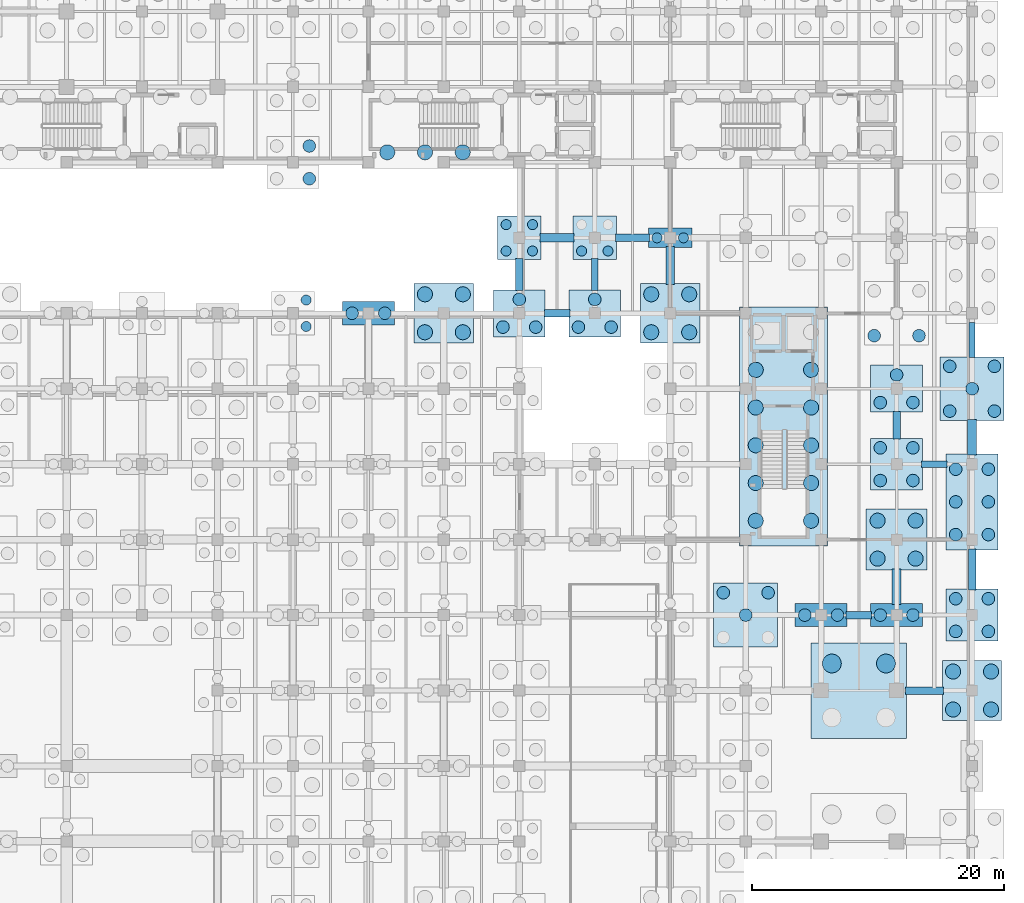
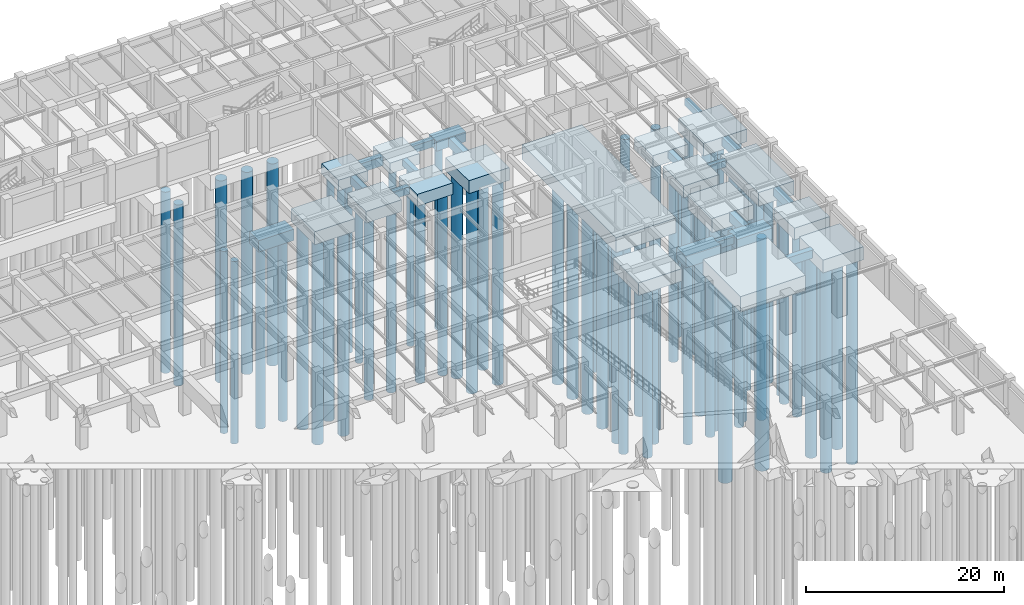
# One storey, part 21 of 54: 82 piles, 34 footings.
"""IFC4 building model written with IfcOpenShell, lengths in metres."""

from ifc_helpers import new_model, si_unit, direction, frame, origin, origin_2d, place, context, subcontext, project, spatial, rectangle, circle, extrude, material, material_profile, profile_set, type_object, element, save


model = new_model("IFC4")

# Units and contexts
model_context = context("Model", 3, precision=1e-05, world=origin(), true_north=direction((0.0, 1.0)))
body_context = subcontext(model_context, "Body", "Model", "MODEL_VIEW")
ifc_project = project(units=[si_unit("LENGTHUNIT", "METRE"), si_unit("AREAUNIT", "SQUARE_METRE"), si_unit("VOLUMEUNIT", "CUBIC_METRE"), si_unit("PLANEANGLEUNIT", "RADIAN"), si_unit("MASSUNIT", "GRAM", prefix="KILO"), si_unit("THERMODYNAMICTEMPERATUREUNIT", "KELVIN"), si_unit("POWERUNIT", "WATT")], contexts=[model_context])

# Site, building, storey
site_placement = place(None, origin())
site = spatial("IfcSite", under=ifc_project, at=site_placement, CompositionType="ELEMENT")
building_placement = place(site_placement, origin())
building = spatial("IfcBuilding", under=site, at=building_placement, Name="Phaisarnlok Congress Hotel", CompositionType="ELEMENT")
storey_placement = place(building_placement, frame((0.0, 0.0, -4.800048828125)))
storey = spatial("IfcBuildingStorey", under=building, at=storey_placement, Name="B01", CompositionType="ELEMENT", Elevation=-4.800048828125)

# Footings
ifc_material_1 = material(Name="Concrete C40/50", Category="concrete")
footing_type_1 = type_object("IfcFootingType", Name="CAP-2P-A", PredefinedType="PILE_CAP", material=ifc_material_1)
footing_1_placement = place(storey_placement, frame((156.0, 102.0, -1.69970703125), z_axis=(0.0, 0.0, 1.0), x_axis=(1.0, 0.0, 0.0)))
element("IfcFooting", 1, at=footing_1_placement, inside=storey, type_object=footing_type_1, Name="Pile cap PC-01 at (156,102)", PredefinedType="PILE_CAP", context=body_context, shape_type="SweptSolid", body=[
    extrude(rectangle(XDim=3.43994140625, YDim=1.5400390625, at=origin_2d()), origin(), (0.0, 0.0, 1.0), 1.199951171875),
])
footing_type_2 = type_object("IfcFootingType", Name="CAP-2P-C", PredefinedType="PILE_CAP", material=ifc_material_1)
for number, where, z_axis, x_axis, name in (
    (2, (132.0, 96.0, -1.89990234375), (0.0, 0.0, 1.0), (1.0, 0.0, 0.0), "Pile cap PC-03 at (132,96)"),
    (3, (168.0, 72.0, -1.89990234375), (0.0, 0.0, 1.0), (1.0, 0.0, 0.0), "Pile cap PC-03 at (168,72)"),
    (4, (174.0, 72.0, -1.89990234375), (0.0, 0.0, 1.0), (1.0, 0.0, 0.0), "Pile cap PC-03 at (174,72)"),
):
    element("IfcFooting", number, at=place(storey_placement, frame(where, z_axis=z_axis, x_axis=x_axis)), inside=storey, type_object=footing_type_2, Name=name, PredefinedType="PILE_CAP", context=body_context, shape_type="SweptSolid", body=[
        extrude(rectangle(XDim=4.1201171875, YDim=1.840087890625, at=origin_2d()), origin(), (0.0, 0.0, 1.0), 1.39990234375),
    ])
footing_type_3 = type_object("IfcFootingType", Name="CAP-3P-B", PredefinedType="PILE_CAP", material=ifc_material_1)
for number, where, z_axis, x_axis, name in (
    (5, (144.0, 96.0, -1.94970703125), (0.0, 0.0, 1.0), (1.0, 0.0, 0.0), "Pile cap PC-05 at (144,96)"),
    (6, (150.0, 96.0, -1.94970703125), (0.0, 0.0, 1.0), (1.0, 0.0, 0.0), "Pile cap PC-05 at (150,96)"),
    (7, (174.0, 90.0, -1.94970703125), (0.0, 0.0, 1.0), (1.0, 0.0, 0.0), "Pile cap PC-05 at (174,90)"),
):
    element("IfcFooting", number, at=place(storey_placement, frame(where, z_axis=z_axis, x_axis=x_axis)), inside=storey, type_object=footing_type_3, Name=name, PredefinedType="PILE_CAP", context=body_context, shape_type="SweptSolid", body=[
        extrude(rectangle(XDim=4.1201171875, YDim=3.739990234375, at=origin_2d()), origin(), (0.0, 0.0, 1.0), 1.449951171875),
    ])
footing_type_4 = type_object("IfcFootingType", Name="CAP-4P-A", PredefinedType="PILE_CAP", material=ifc_material_1)
for number, where, z_axis, x_axis, name in (
    (8, (144.0, 102.0, -1.7998046875), (0.0, 0.0, 1.0), (1.0, 0.0, 0.0), "Pile cap PC-06 at (144,102)"),
    (9, (150.0, 102.0, -1.7998046875), (0.0, 0.0, 1.0), (1.0, 0.0, 0.0), "Pile cap PC-06 at (150,102)"),
):
    element("IfcFooting", number, at=place(storey_placement, frame(where, z_axis=z_axis, x_axis=x_axis)), inside=storey, type_object=footing_type_4, Name=name, PredefinedType="PILE_CAP", context=body_context, shape_type="SweptSolid", body=[
        extrude(rectangle(XDim=3.43994140625, YDim=3.43994140625, at=origin_2d()), origin(), (0.0, 0.0, 1.0), 1.300048828125),
    ])
footing_type_5 = type_object("IfcFootingType", Name="CAP-4P-B", PredefinedType="PILE_CAP", material=ifc_material_1)
for number, where, z_axis, x_axis, name in (
    (10, (174.0, 84.0, -1.94970703125), (0.0, 0.0, 1.0), (1.0, 0.0, 0.0), "Pile cap PC-07 at (174,84)"),
    (11, (180.0, 72.0, -1.94970703125), (0.0, 0.0, 1.0), (1.0, 0.0, 0.0), "Pile cap PC-07 at (180,72)"),
):
    element("IfcFooting", number, at=place(storey_placement, frame(where, z_axis=z_axis, x_axis=x_axis)), inside=storey, type_object=footing_type_5, Name=name, PredefinedType="PILE_CAP", context=body_context, shape_type="SweptSolid", body=[
        extrude(rectangle(XDim=4.1201171875, YDim=4.1201171875, at=origin_2d()), origin(), (0.0, 0.0, 1.0), 1.449951171875),
    ])
footing_type_6 = type_object("IfcFootingType", Name="CAP-4P-C", PredefinedType="PILE_CAP", material=ifc_material_1)
for number, where, z_axis, x_axis, name in (
    (12, (138.0, 96.0, -2.10009765625), (0.0, 0.0, 1.0), (1.0, 0.0, 0.0), "Pile cap PC-08 at (138,96)"),
    (13, (156.0, 96.0, -2.10009765625), (0.0, 0.0, 1.0), (1.0, 0.0, 0.0), "Pile cap PC-08 at (156,96)"),
    (14, (180.0, 66.0, -2.10009765625), (0.0, 0.0, 1.0), (1.0, 0.0, 0.0), "Pile cap PC-08 at (180,66)"),
):
    element("IfcFooting", number, at=place(storey_placement, frame(where, z_axis=z_axis, x_axis=x_axis)), inside=storey, type_object=footing_type_6, Name=name, PredefinedType="PILE_CAP", context=body_context, shape_type="SweptSolid", body=[
        extrude(rectangle(XDim=4.719970703125, YDim=4.760009765625, at=origin_2d()), origin(), (0.0, 0.0, 1.0), 1.60009765625),
    ])
footing_type_7 = type_object("IfcFootingType", Name="CAP-4P-D", PredefinedType="PILE_CAP", material=ifc_material_1)
footing_2_placement = place(storey_placement, frame((174.0, 78.0, -2.25), z_axis=(0.0, 0.0, 1.0), x_axis=(1.0, 0.0, 0.0)))
element("IfcFooting", 15, at=footing_2_placement, inside=storey, type_object=footing_type_7, Name="Pile cap PC-09 at (174,78)", PredefinedType="PILE_CAP", context=body_context, shape_type="SweptSolid", body=[
    extrude(rectangle(XDim=4.840087890625, YDim=4.840087890625, at=origin_2d()), origin(), (0.0, 0.0, 1.0), 1.75),
])
footing_type_8 = type_object("IfcFootingType", Name="CAP-4P-E", PredefinedType="PILE_CAP", material=ifc_material_1)
footing_3_placement = place(storey_placement, frame((171.0, 66.0, -2.39990234375), z_axis=(0.0, 0.0, 1.0), x_axis=(1.0, 0.0, 0.0)))
element("IfcFooting", 16, at=footing_3_placement, inside=storey, type_object=footing_type_8, Name="Combined pile cap PC-10 at (171,66)", PredefinedType="PILE_CAP", context=body_context, shape_type="SweptSolid", body=[
    extrude(rectangle(XDim=7.60009765625, YDim=7.60009765625, at=origin_2d()), origin(), (0.0, 0.0, 1.0), 1.89990234375),
])
footing_type_9 = type_object("IfcFootingType", Name="CAP-5P-A", PredefinedType="PILE_CAP", material=ifc_material_1)
for number, where, z_axis, x_axis, name in (
    (17, (162.0, 72.0, -2.0498046875), (0.0, 0.0, 1.0), (1.0, 0.0, 0.0), "Pile cap PC-13 at (162,72)"),
    (18, (180.0, 90.0, -2.0498046875), (0.0, 0.0, 1.0), (1.0, 0.0, 0.0), "Pile cap PC-13 at (180,90)"),
):
    element("IfcFooting", number, at=place(storey_placement, frame(where, z_axis=z_axis, x_axis=x_axis)), inside=storey, type_object=footing_type_9, Name=name, PredefinedType="PILE_CAP", context=body_context, shape_type="SweptSolid", body=[
        extrude(rectangle(XDim=5.080078125, YDim=5.080078125, at=origin_2d()), origin(), (0.0, 0.0, 1.0), 1.550048828125),
    ])
footing_type_10 = type_object("IfcFootingType", Name="CAP-6P-B", PredefinedType="PILE_CAP", material=ifc_material_1)
footing_4_placement = place(storey_placement, frame((180.0, 81.0, -2.19970703125), z_axis=(0.0, 0.0, 1.0), x_axis=(1.0, 0.0, 0.0)))
element("IfcFooting", 19, at=footing_4_placement, inside=storey, type_object=footing_type_10, Name="Combined pile cap PC-12 at (180,81)", PredefinedType="PILE_CAP", context=body_context, shape_type="SweptSolid", body=[
    extrude(rectangle(XDim=4.159912109375, YDim=7.639892578125, at=origin_2d()), origin(), (0.0, 0.0, 1.0), 1.699951171875),
])
footing_type_11 = type_object("IfcFootingType", Name="CAP-CORE-V", PredefinedType="PILE_CAP", material=ifc_material_1)
footing_5_placement = place(storey_placement, frame((165.0, 87.0, -2.35009765625), z_axis=(0.0, 0.0, 1.0), x_axis=(1.0, 0.0, 0.0)))
element("IfcFooting", 20, at=footing_5_placement, inside=storey, type_object=footing_type_11, Name="Core pile cap PC-16 (CORE-3)", PredefinedType="PILE_CAP", context=body_context, shape_type="SweptSolid", body=[
    extrude(rectangle(XDim=7.0, YDim=19.0, at=origin_2d()), origin(), (0.0, 0.0, 1.0), 1.85009765625),
])
ifc_material_profile_1 = material_profile(ifc_material_1, rectangle(XDim=0.5, YDim=0.800048828125, at=origin_2d()), Name="FB-500x800")
ifc_profile_set_1 = profile_set([ifc_material_profile_1], Name="Concrete C40/50")
footing_type_12 = type_object("IfcFootingType", Name="FB-500x800", PredefinedType="FOOTING_BEAM", material=ifc_profile_set_1)
footing_6_placement = place(storey_placement, frame((150.0, 97.794921875, -0.89990234375), z_axis=(0.0, 1.0, 0.0), x_axis=(-1.0, 0.0, 0.0)))
element("IfcFooting", 21, at=footing_6_placement, inside=storey, type_object=footing_type_12, Name="Ground tie beam FB-01", PredefinedType="FOOTING_BEAM", context=body_context, shape_type="SweptSolid", body=[
    extrude(rectangle(XDim=0.5, YDim=0.800048828125, at=origin_2d()), origin(), (0.0, 0.0, 1.0), 2.56005859375),
])
footing_7_placement = place(storey_placement, frame((175.985107421875, 84.0, -0.89990234375), z_axis=(1.0, 0.0, 0.0), x_axis=(0.0, 1.0, 0.0)))
element("IfcFooting", 22, at=footing_7_placement, inside=storey, type_object=footing_type_12, Name="Ground tie beam FB-01", PredefinedType="FOOTING_BEAM", context=body_context, shape_type="SweptSolid", body=[
    extrude(rectangle(XDim=0.5, YDim=0.800048828125, at=origin_2d()), origin(), (0.0, 0.0, 1.0), 2.010009765625),
])
footing_8_placement = place(storey_placement, frame((180.0, 92.465087890625, -0.89990234375), z_axis=(0.0, 1.0, 0.0), x_axis=(-1.0, 0.0, 0.0)))
element("IfcFooting", 23, at=footing_8_placement, inside=storey, type_object=footing_type_12, Name="Ground tie beam FB-01", PredefinedType="FOOTING_BEAM", context=body_context, shape_type="SweptSolid", body=[
    extrude(rectangle(XDim=0.5, YDim=0.800048828125, at=origin_2d()), origin(), (0.0, 0.0, 1.0), 2.789794921875),
])
ifc_material_profile_2 = material_profile(ifc_material_1, rectangle(XDim=0.60009765625, YDim=1.0, at=origin_2d()), Name="FB-600x1000")
ifc_profile_set_2 = profile_set([ifc_material_profile_2], Name="Concrete C40/50")
footing_type_13 = type_object("IfcFootingType", Name="FB-600x1000", PredefinedType="FOOTING_BEAM", material=ifc_profile_set_2)
footing_9_placement = place(storey_placement, frame((144.0, 97.794921875, -1.0), z_axis=(0.0, 1.0, 0.0), x_axis=(-1.0, 0.0, 0.0)))
element("IfcFooting", 24, at=footing_9_placement, inside=storey, type_object=footing_type_13, Name="Ground tie beam FB-03", PredefinedType="FOOTING_BEAM", context=body_context, shape_type="SweptSolid", body=[
    extrude(rectangle(XDim=0.60009765625, YDim=1.0, at=origin_2d()), origin(), (0.0, 0.0, 1.0), 2.56005859375),
])
footing_10_placement = place(storey_placement, frame((174.72509765625, 66.0, -1.0), z_axis=(1.0, 0.0, 0.0), x_axis=(0.0, 1.0, 0.0)))
element("IfcFooting", 25, at=footing_10_placement, inside=storey, type_object=footing_type_13, Name="Ground tie beam FB-03", PredefinedType="FOOTING_BEAM", context=body_context, shape_type="SweptSolid", body=[
    extrude(rectangle(XDim=0.60009765625, YDim=1.0, at=origin_2d()), origin(), (0.0, 0.0, 1.0), 2.989990234375),
])
footing_11_placement = place(storey_placement, frame((180.0, 73.985107421875, -1.0), z_axis=(0.0, 1.0, 0.0), x_axis=(-1.0, 0.0, 0.0)))
element("IfcFooting", 26, at=footing_11_placement, inside=storey, type_object=footing_type_13, Name="Ground tie beam FB-03", PredefinedType="FOOTING_BEAM", context=body_context, shape_type="SweptSolid", body=[
    extrude(rectangle(XDim=0.60009765625, YDim=1.0, at=origin_2d()), origin(), (0.0, 0.0, 1.0), 3.269775390625),
])
ifc_material_profile_3 = material_profile(ifc_material_1, rectangle(XDim=0.60009765625, YDim=0.89990234375, at=origin_2d()), Name="FB-600x900")
ifc_profile_set_3 = profile_set([ifc_material_profile_3], Name="Concrete C40/50")
footing_type_14 = type_object("IfcFootingType", Name="FB-600x900", PredefinedType="FOOTING_BEAM", material=ifc_profile_set_3)
footing_12_placement = place(storey_placement, frame((145.985107421875, 96.0, -0.949951171875), z_axis=(1.0, 0.0, 0.0), x_axis=(0.0, 1.0, 0.0)))
element("IfcFooting", 27, at=footing_12_placement, inside=storey, type_object=footing_type_14, Name="Ground tie beam FB-02", PredefinedType="FOOTING_BEAM", context=body_context, shape_type="SweptSolid", body=[
    extrude(rectangle(XDim=0.60009765625, YDim=0.89990234375, at=origin_2d()), origin(), (0.0, 0.0, 1.0), 2.02978515625),
])
footing_13_placement = place(storey_placement, frame((151.64501953125, 102.0, -0.949951171875), z_axis=(1.0, 0.0, 0.0), x_axis=(0.0, 1.0, 0.0)))
element("IfcFooting", 28, at=footing_13_placement, inside=storey, type_object=footing_type_14, Name="Ground tie beam FB-02", PredefinedType="FOOTING_BEAM", context=body_context, shape_type="SweptSolid", body=[
    extrude(rectangle(XDim=0.60009765625, YDim=0.89990234375, at=origin_2d()), origin(), (0.0, 0.0, 1.0), 2.7099609375),
])
footing_14_placement = place(storey_placement, frame((169.985107421875, 72.0, -0.949951171875), z_axis=(1.0, 0.0, 0.0), x_axis=(0.0, 1.0, 0.0)))
element("IfcFooting", 29, at=footing_14_placement, inside=storey, type_object=footing_type_14, Name="Ground tie beam FB-02", PredefinedType="FOOTING_BEAM", context=body_context, shape_type="SweptSolid", body=[
    extrude(rectangle(XDim=0.60009765625, YDim=0.89990234375, at=origin_2d()), origin(), (0.0, 0.0, 1.0), 2.02978515625),
])
footing_15_placement = place(storey_placement, frame((174.0, 85.985107421875, -0.949951171875), z_axis=(0.0, 1.0, 0.0), x_axis=(-1.0, 0.0, 0.0)))
element("IfcFooting", 30, at=footing_15_placement, inside=storey, type_object=footing_type_14, Name="Ground tie beam FB-02", PredefinedType="FOOTING_BEAM", context=body_context, shape_type="SweptSolid", body=[
    extrude(rectangle(XDim=0.60009765625, YDim=0.89990234375, at=origin_2d()), origin(), (0.0, 0.0, 1.0), 2.219970703125),
])
ifc_material_profile_4 = material_profile(ifc_material_1, rectangle(XDim=0.699951171875, YDim=1.10009765625, at=origin_2d()), Name="FB-700x1100")
ifc_profile_set_4 = profile_set([ifc_material_profile_4], Name="Concrete C40/50")
footing_type_15 = type_object("IfcFootingType", Name="FB-700x1100", PredefinedType="FOOTING_BEAM", material=ifc_profile_set_4)
footing_16_placement = place(storey_placement, frame((145.64501953125, 102.0, -1.050048828125), z_axis=(1.0, 0.0, 0.0), x_axis=(0.0, 1.0, 0.0)))
element("IfcFooting", 31, at=footing_16_placement, inside=storey, type_object=footing_type_15, Name="Ground tie beam FB-04", PredefinedType="FOOTING_BEAM", context=body_context, shape_type="SweptSolid", body=[
    extrude(rectangle(XDim=0.699951171875, YDim=1.10009765625, at=origin_2d()), origin(), (0.0, 0.0, 1.0), 2.7099609375),
])
footing_17_placement = place(storey_placement, frame((156.0, 98.304931640625, -1.050048828125), z_axis=(0.0, 1.0, 0.0), x_axis=(-1.0, 0.0, 0.0)))
element("IfcFooting", 32, at=footing_17_placement, inside=storey, type_object=footing_type_15, Name="Ground tie beam FB-04", PredefinedType="FOOTING_BEAM", context=body_context, shape_type="SweptSolid", body=[
    extrude(rectangle(XDim=0.699951171875, YDim=1.10009765625, at=origin_2d()), origin(), (0.0, 0.0, 1.0), 3.0),
])
footing_18_placement = place(storey_placement, frame((174.0, 72.844970703125, -1.050048828125), z_axis=(0.0, 1.0, 0.0), x_axis=(-1.0, 0.0, 0.0)))
element("IfcFooting", 33, at=footing_18_placement, inside=storey, type_object=footing_type_15, Name="Ground tie beam FB-04", PredefinedType="FOOTING_BEAM", context=body_context, shape_type="SweptSolid", body=[
    extrude(rectangle(XDim=0.699951171875, YDim=1.10009765625, at=origin_2d()), origin(), (0.0, 0.0, 1.0), 2.81005859375),
])
footing_19_placement = place(storey_placement, frame((180.0, 84.7451171875, -1.050048828125), z_axis=(0.0, 1.0, 0.0), x_axis=(-1.0, 0.0, 0.0)))
element("IfcFooting", 34, at=footing_19_placement, inside=storey, type_object=footing_type_15, Name="Ground tie beam FB-04", PredefinedType="FOOTING_BEAM", context=body_context, shape_type="SweptSolid", body=[
    extrude(rectangle(XDim=0.699951171875, YDim=1.10009765625, at=origin_2d()), origin(), (0.0, 0.0, 1.0), 2.789794921875),
])

# Piles
ifc_material_2 = material(Name="Concrete C35/45", Category="concrete")
ifc_material_profile_5 = material_profile(ifc_material_2, circle(Radius=0.5, at=origin_2d()), Name="BORED PILE D1000")
ifc_profile_set_5 = profile_set([ifc_material_profile_5], Name="Concrete C35/45")
pile_type_1 = type_object("IfcPileType", Name="PILE-D1000", PredefinedType="BORED", material=ifc_profile_set_5)
for number, where, z_axis, x_axis, name in (
    (35, (178.699951171875, 78.39990234375, -2.099853515625), (0.0, 0.0, -1.0), (1.0, 0.0, 0.0), "Bored pile PL-02 (FTG-B01-180-078-1)"),
    (36, (181.300048828125, 78.39990234375, -2.099853515625), (0.0, 0.0, -1.0), (1.0, 0.0, 0.0), "Bored pile PL-02 (FTG-B01-180-078-2)"),
    (37, (178.699951171875, 81.0, -2.099853515625), (0.0, 0.0, -1.0), (1.0, 0.0, 0.0), "Bored pile PL-02 (FTG-B01-180-078-3)"),
    (38, (181.300048828125, 81.0, -2.099853515625), (0.0, 0.0, -1.0), (1.0, 0.0, 0.0), "Bored pile PL-02 (FTG-B01-180-078-4)"),
    (39, (178.699951171875, 83.60009765625, -2.099853515625), (0.0, 0.0, -1.0), (1.0, 0.0, 0.0), "Bored pile PL-02 (FTG-B01-180-078-5)"),
    (40, (181.300048828125, 83.60009765625, -2.099853515625), (0.0, 0.0, -1.0), (1.0, 0.0, 0.0), "Bored pile PL-02 (FTG-B01-180-078-6)"),
):
    element("IfcPile", number, at=place(storey_placement, frame(where, z_axis=z_axis, x_axis=x_axis)), inside=storey, type_object=pile_type_1, Name=name, PredefinedType="BORED", context=body_context, shape_type="SweptSolid", body=[
        extrude(circle(Radius=0.5, at=origin_2d()), origin(), (0.0, 0.0, 1.0), 25.10009765625),
    ])
for number, where, z_axis, x_axis, name in (
    (41, (127.300048828125, 106.699951171875, -1.849853515625), (0.0, 0.0, -1.0), (1.0, 0.0, 0.0), "Bored pile PL-02 (FTG-B01-126-108-2)"),
    (42, (127.300048828125, 109.300048828125, -1.849853515625), (0.0, 0.0, -1.0), (1.0, 0.0, 0.0), "Bored pile PL-02 (FTG-B01-126-108-4)"),
):
    element("IfcPile", number, at=place(storey_placement, frame(where, z_axis=z_axis, x_axis=x_axis)), inside=storey, type_object=pile_type_1, Name=name, PredefinedType="BORED", context=body_context, shape_type="SweptSolid", body=[
        extrude(circle(Radius=0.5, at=origin_2d()), origin(), (0.0, 0.0, 1.0), 22.35009765625),
    ])
for number, where, z_axis, x_axis, name in (
    (43, (130.699951171875, 96.0, -1.800048828125), (0.0, 0.0, -1.0), (1.0, 0.0, 0.0), "Bored pile PL-02 (FTG-B01-132-096-1)"),
    (44, (133.300048828125, 96.0, -1.800048828125), (0.0, 0.0, -1.0), (1.0, 0.0, 0.0), "Bored pile PL-02 (FTG-B01-132-096-2)"),
):
    element("IfcPile", number, at=place(storey_placement, frame(where, z_axis=z_axis, x_axis=x_axis)), inside=storey, type_object=pile_type_1, Name=name, PredefinedType="BORED", context=body_context, shape_type="SweptSolid", body=[
        extrude(circle(Radius=0.5, at=origin_2d()), origin(), (0.0, 0.0, 1.0), 22.39990234375),
    ])
for number, where, z_axis, x_axis, name in (
    (45, (142.699951171875, 94.89990234375, -1.849853515625), (0.0, 0.0, -1.0), (1.0, 0.0, 0.0), "Bored pile PL-02 (FTG-B01-144-096-1)"),
    (46, (145.300048828125, 94.89990234375, -1.849853515625), (0.0, 0.0, -1.0), (1.0, 0.0, 0.0), "Bored pile PL-02 (FTG-B01-144-096-2)"),
    (47, (144.0, 97.10009765625, -1.849853515625), (0.0, 0.0, -1.0), (1.0, 0.0, 0.0), "Bored pile PL-02 (FTG-B01-144-096-3)"),
    (48, (148.699951171875, 94.89990234375, -1.849853515625), (0.0, 0.0, -1.0), (1.0, 0.0, 0.0), "Bored pile PL-02 (FTG-B01-150-096-1)"),
    (49, (151.300048828125, 94.89990234375, -1.849853515625), (0.0, 0.0, -1.0), (1.0, 0.0, 0.0), "Bored pile PL-02 (FTG-B01-150-096-2)"),
    (50, (150.0, 97.10009765625, -1.849853515625), (0.0, 0.0, -1.0), (1.0, 0.0, 0.0), "Bored pile PL-02 (FTG-B01-150-096-3)"),
):
    element("IfcPile", number, at=place(storey_placement, frame(where, z_axis=z_axis, x_axis=x_axis)), inside=storey, type_object=pile_type_1, Name=name, PredefinedType="BORED", context=body_context, shape_type="SweptSolid", body=[
        extrude(circle(Radius=0.5, at=origin_2d()), origin(), (0.0, 0.0, 1.0), 22.35009765625),
    ])
for number, where, z_axis, x_axis, name in (
    (51, (162.0, 72.0, -1.949951171875), (0.0, 0.0, -1.0), (1.0, 0.0, 0.0), "Bored pile PL-02 (FTG-B01-162-072-3)"),
    (52, (160.219970703125, 73.780029296875, -1.949951171875), (0.0, 0.0, -1.0), (1.0, 0.0, 0.0), "Bored pile PL-02 (FTG-B01-162-072-4)"),
    (53, (163.780029296875, 73.780029296875, -1.949951171875), (0.0, 0.0, -1.0), (1.0, 0.0, 0.0), "Bored pile PL-02 (FTG-B01-162-072-5)"),
):
    element("IfcPile", number, at=place(storey_placement, frame(where, z_axis=z_axis, x_axis=x_axis)), inside=storey, type_object=pile_type_1, Name=name, PredefinedType="BORED", context=body_context, shape_type="SweptSolid", body=[
        extrude(circle(Radius=0.5, at=origin_2d()), origin(), (0.0, 0.0, 1.0), 22.25),
    ])
for number, where, z_axis, x_axis, name in (
    (54, (166.699951171875, 72.0, -1.800048828125), (0.0, 0.0, -1.0), (1.0, 0.0, 0.0), "Bored pile PL-02 (FTG-B01-168-072-1)"),
    (55, (169.300048828125, 72.0, -1.800048828125), (0.0, 0.0, -1.0), (1.0, 0.0, 0.0), "Bored pile PL-02 (FTG-B01-168-072-2)"),
    (56, (172.699951171875, 72.0, -1.800048828125), (0.0, 0.0, -1.0), (1.0, 0.0, 0.0), "Bored pile PL-02 (FTG-B01-174-072-1)"),
    (57, (175.300048828125, 72.0, -1.800048828125), (0.0, 0.0, -1.0), (1.0, 0.0, 0.0), "Bored pile PL-02 (FTG-B01-174-072-2)"),
):
    element("IfcPile", number, at=place(storey_placement, frame(where, z_axis=z_axis, x_axis=x_axis)), inside=storey, type_object=pile_type_1, Name=name, PredefinedType="BORED", context=body_context, shape_type="SweptSolid", body=[
        extrude(circle(Radius=0.5, at=origin_2d()), origin(), (0.0, 0.0, 1.0), 22.39990234375),
    ])
for number, where, z_axis, x_axis, name in (
    (58, (172.699951171875, 82.699951171875, -1.849853515625), (0.0, 0.0, -1.0), (1.0, 0.0, 0.0), "Bored pile PL-02 (FTG-B01-174-084-1)"),
    (59, (175.300048828125, 82.699951171875, -1.849853515625), (0.0, 0.0, -1.0), (1.0, 0.0, 0.0), "Bored pile PL-02 (FTG-B01-174-084-2)"),
    (60, (172.699951171875, 85.300048828125, -1.849853515625), (0.0, 0.0, -1.0), (1.0, 0.0, 0.0), "Bored pile PL-02 (FTG-B01-174-084-3)"),
    (61, (175.300048828125, 85.300048828125, -1.849853515625), (0.0, 0.0, -1.0), (1.0, 0.0, 0.0), "Bored pile PL-02 (FTG-B01-174-084-4)"),
    (62, (172.699951171875, 88.89990234375, -1.849853515625), (0.0, 0.0, -1.0), (1.0, 0.0, 0.0), "Bored pile PL-02 (FTG-B01-174-090-1)"),
    (63, (175.300048828125, 88.89990234375, -1.849853515625), (0.0, 0.0, -1.0), (1.0, 0.0, 0.0), "Bored pile PL-02 (FTG-B01-174-090-2)"),
    (64, (174.0, 91.10009765625, -1.849853515625), (0.0, 0.0, -1.0), (1.0, 0.0, 0.0), "Bored pile PL-02 (FTG-B01-174-090-3)"),
):
    element("IfcPile", number, at=place(storey_placement, frame(where, z_axis=z_axis, x_axis=x_axis)), inside=storey, type_object=pile_type_1, Name=name, PredefinedType="BORED", context=body_context, shape_type="SweptSolid", body=[
        extrude(circle(Radius=0.5, at=origin_2d()), origin(), (0.0, 0.0, 1.0), 22.35009765625),
    ])
for number, where, z_axis, x_axis, name in (
    (65, (172.219970703125, 94.219970703125, -1.949951171875), (0.0, 0.0, -1.0), (1.0, 0.0, 0.0), "Bored pile PL-02 (FTG-B01-174-096-1)"),
    (66, (175.780029296875, 94.219970703125, -1.949951171875), (0.0, 0.0, -1.0), (1.0, 0.0, 0.0), "Bored pile PL-02 (FTG-B01-174-096-2)"),
):
    element("IfcPile", number, at=place(storey_placement, frame(where, z_axis=z_axis, x_axis=x_axis)), inside=storey, type_object=pile_type_1, Name=name, PredefinedType="BORED", context=body_context, shape_type="SweptSolid", body=[
        extrude(circle(Radius=0.5, at=origin_2d()), origin(), (0.0, 0.0, 1.0), 22.25),
    ])
for number, where, z_axis, x_axis, name in (
    (67, (178.699951171875, 70.699951171875, -1.849853515625), (0.0, 0.0, -1.0), (1.0, 0.0, 0.0), "Bored pile PL-02 (FTG-B01-180-072-1)"),
    (68, (181.300048828125, 70.699951171875, -1.849853515625), (0.0, 0.0, -1.0), (1.0, 0.0, 0.0), "Bored pile PL-02 (FTG-B01-180-072-2)"),
    (69, (178.699951171875, 73.300048828125, -1.849853515625), (0.0, 0.0, -1.0), (1.0, 0.0, 0.0), "Bored pile PL-02 (FTG-B01-180-072-3)"),
    (70, (181.300048828125, 73.300048828125, -1.849853515625), (0.0, 0.0, -1.0), (1.0, 0.0, 0.0), "Bored pile PL-02 (FTG-B01-180-072-4)"),
):
    element("IfcPile", number, at=place(storey_placement, frame(where, z_axis=z_axis, x_axis=x_axis)), inside=storey, type_object=pile_type_1, Name=name, PredefinedType="BORED", context=body_context, shape_type="SweptSolid", body=[
        extrude(circle(Radius=0.5, at=origin_2d()), origin(), (0.0, 0.0, 1.0), 22.35009765625),
    ])
for number, where, z_axis, x_axis, name in (
    (71, (178.219970703125, 88.219970703125, -1.949951171875), (0.0, 0.0, -1.0), (1.0, 0.0, 0.0), "Bored pile PL-02 (FTG-B01-180-090-1)"),
    (72, (181.780029296875, 88.219970703125, -1.949951171875), (0.0, 0.0, -1.0), (1.0, 0.0, 0.0), "Bored pile PL-02 (FTG-B01-180-090-2)"),
    (73, (180.0, 90.0, -1.949951171875), (0.0, 0.0, -1.0), (1.0, 0.0, 0.0), "Bored pile PL-02 (FTG-B01-180-090-3)"),
    (74, (178.219970703125, 91.780029296875, -1.949951171875), (0.0, 0.0, -1.0), (1.0, 0.0, 0.0), "Bored pile PL-02 (FTG-B01-180-090-4)"),
    (75, (181.780029296875, 91.780029296875, -1.949951171875), (0.0, 0.0, -1.0), (1.0, 0.0, 0.0), "Bored pile PL-02 (FTG-B01-180-090-5)"),
):
    element("IfcPile", number, at=place(storey_placement, frame(where, z_axis=z_axis, x_axis=x_axis)), inside=storey, type_object=pile_type_1, Name=name, PredefinedType="BORED", context=body_context, shape_type="SweptSolid", body=[
        extrude(circle(Radius=0.5, at=origin_2d()), origin(), (0.0, 0.0, 1.0), 22.25),
    ])
ifc_material_profile_6 = material_profile(ifc_material_2, circle(Radius=0.60009765625, at=origin_2d()), Name="BORED PILE D1200")
ifc_profile_set_6 = profile_set([ifc_material_profile_6], Name="Concrete C35/45")
pile_type_2 = type_object("IfcPileType", Name="PILE-D1200", PredefinedType="BORED", material=ifc_profile_set_6)
for number, where, z_axis, x_axis, name in (
    (76, (133.5, 108.800048828125, -2.25), (0.0, 0.0, -1.0), (1.0, 0.0, 0.0), "Bored pile PL-03 (CORE-2-01)"),
    (77, (136.5, 108.800048828125, -2.25), (0.0, 0.0, -1.0), (1.0, 0.0, 0.0), "Bored pile PL-03 (CORE-2-03)"),
    (78, (139.5, 108.800048828125, -2.25), (0.0, 0.0, -1.0), (1.0, 0.0, 0.0), "Bored pile PL-03 (CORE-2-05)"),
    (79, (162.800048828125, 79.5, -2.25), (0.0, 0.0, -1.0), (1.0, 0.0, 0.0), "Bored pile PL-03 (CORE-3-01)"),
    (80, (162.800048828125, 82.5, -2.25), (0.0, 0.0, -1.0), (1.0, 0.0, 0.0), "Bored pile PL-03 (CORE-3-02)"),
    (81, (162.800048828125, 85.5, -2.25), (0.0, 0.0, -1.0), (1.0, 0.0, 0.0), "Bored pile PL-03 (CORE-3-03)"),
    (82, (162.800048828125, 88.5, -2.25), (0.0, 0.0, -1.0), (1.0, 0.0, 0.0), "Bored pile PL-03 (CORE-3-04)"),
    (83, (162.800048828125, 91.5, -2.25), (0.0, 0.0, -1.0), (1.0, 0.0, 0.0), "Bored pile PL-03 (CORE-3-05)"),
    (84, (167.199951171875, 79.5, -2.25), (0.0, 0.0, -1.0), (1.0, 0.0, 0.0), "Bored pile PL-03 (CORE-3-07)"),
    (85, (167.199951171875, 82.5, -2.25), (0.0, 0.0, -1.0), (1.0, 0.0, 0.0), "Bored pile PL-03 (CORE-3-08)"),
    (86, (167.199951171875, 85.5, -2.25), (0.0, 0.0, -1.0), (1.0, 0.0, 0.0), "Bored pile PL-03 (CORE-3-09)"),
    (87, (167.199951171875, 88.5, -2.25), (0.0, 0.0, -1.0), (1.0, 0.0, 0.0), "Bored pile PL-03 (CORE-3-10)"),
    (88, (167.199951171875, 91.5, -2.25), (0.0, 0.0, -1.0), (1.0, 0.0, 0.0), "Bored pile PL-03 (CORE-3-11)"),
):
    element("IfcPile", number, at=place(storey_placement, frame(where, z_axis=z_axis, x_axis=x_axis)), inside=storey, type_object=pile_type_2, Name=name, PredefinedType="BORED", context=body_context, shape_type="SweptSolid", body=[
        extrude(circle(Radius=0.60009765625, at=origin_2d()), origin(), (0.0, 0.0, 1.0), 24.949951171875),
    ])
for number, where, z_axis, x_axis, name in (
    (89, (136.489990234375, 94.489990234375, -2.0), (0.0, 0.0, -1.0), (1.0, 0.0, 0.0), "Bored pile PL-03 (FTG-B01-138-096-1)"),
    (90, (139.510009765625, 94.489990234375, -2.0), (0.0, 0.0, -1.0), (1.0, 0.0, 0.0), "Bored pile PL-03 (FTG-B01-138-096-2)"),
    (91, (136.489990234375, 97.510009765625, -2.0), (0.0, 0.0, -1.0), (1.0, 0.0, 0.0), "Bored pile PL-03 (FTG-B01-138-096-3)"),
    (92, (139.510009765625, 97.510009765625, -2.0), (0.0, 0.0, -1.0), (1.0, 0.0, 0.0), "Bored pile PL-03 (FTG-B01-138-096-4)"),
    (93, (154.489990234375, 94.489990234375, -2.0), (0.0, 0.0, -1.0), (1.0, 0.0, 0.0), "Bored pile PL-03 (FTG-B01-156-096-1)"),
    (94, (157.510009765625, 94.489990234375, -2.0), (0.0, 0.0, -1.0), (1.0, 0.0, 0.0), "Bored pile PL-03 (FTG-B01-156-096-2)"),
    (95, (154.489990234375, 97.510009765625, -2.0), (0.0, 0.0, -1.0), (1.0, 0.0, 0.0), "Bored pile PL-03 (FTG-B01-156-096-3)"),
    (96, (157.510009765625, 97.510009765625, -2.0), (0.0, 0.0, -1.0), (1.0, 0.0, 0.0), "Bored pile PL-03 (FTG-B01-156-096-4)"),
):
    element("IfcPile", number, at=place(storey_placement, frame(where, z_axis=z_axis, x_axis=x_axis)), inside=storey, type_object=pile_type_2, Name=name, PredefinedType="BORED", context=body_context, shape_type="SweptSolid", body=[
        extrude(circle(Radius=0.60009765625, at=origin_2d()), origin(), (0.0, 0.0, 1.0), 25.199951171875),
    ])
for number, where, z_axis, x_axis, name in (
    (97, (172.489990234375, 76.489990234375, -2.14990234375), (0.0, 0.0, -1.0), (1.0, 0.0, 0.0), "Bored pile PL-03 (FTG-B01-174-078-1)"),
    (98, (175.510009765625, 76.489990234375, -2.14990234375), (0.0, 0.0, -1.0), (1.0, 0.0, 0.0), "Bored pile PL-03 (FTG-B01-174-078-2)"),
    (99, (172.489990234375, 79.510009765625, -2.14990234375), (0.0, 0.0, -1.0), (1.0, 0.0, 0.0), "Bored pile PL-03 (FTG-B01-174-078-3)"),
    (100, (175.510009765625, 79.510009765625, -2.14990234375), (0.0, 0.0, -1.0), (1.0, 0.0, 0.0), "Bored pile PL-03 (FTG-B01-174-078-4)"),
):
    element("IfcPile", number, at=place(storey_placement, frame(where, z_axis=z_axis, x_axis=x_axis)), inside=storey, type_object=pile_type_2, Name=name, PredefinedType="BORED", context=body_context, shape_type="SweptSolid", body=[
        extrude(circle(Radius=0.60009765625, at=origin_2d()), origin(), (0.0, 0.0, 1.0), 25.050048828125),
    ])
for number, where, z_axis, x_axis, name in (
    (101, (178.489990234375, 64.489990234375, -2.0), (0.0, 0.0, -1.0), (1.0, 0.0, 0.0), "Bored pile PL-03 (FTG-B01-180-066-1)"),
    (102, (181.510009765625, 64.489990234375, -2.0), (0.0, 0.0, -1.0), (1.0, 0.0, 0.0), "Bored pile PL-03 (FTG-B01-180-066-2)"),
    (103, (178.489990234375, 67.510009765625, -2.0), (0.0, 0.0, -1.0), (1.0, 0.0, 0.0), "Bored pile PL-03 (FTG-B01-180-066-3)"),
    (104, (181.510009765625, 67.510009765625, -2.0), (0.0, 0.0, -1.0), (1.0, 0.0, 0.0), "Bored pile PL-03 (FTG-B01-180-066-4)"),
):
    element("IfcPile", number, at=place(storey_placement, frame(where, z_axis=z_axis, x_axis=x_axis)), inside=storey, type_object=pile_type_2, Name=name, PredefinedType="BORED", context=body_context, shape_type="SweptSolid", body=[
        extrude(circle(Radius=0.60009765625, at=origin_2d()), origin(), (0.0, 0.0, 1.0), 25.199951171875),
    ])
ifc_material_profile_7 = material_profile(ifc_material_2, circle(Radius=0.75, at=origin_2d()), Name="BORED PILE D1500")
ifc_profile_set_7 = profile_set([ifc_material_profile_7], Name="Concrete C35/45")
pile_type_3 = type_object("IfcPileType", Name="PILE-D1500", PredefinedType="BORED", material=ifc_profile_set_7)
for number, where, z_axis, x_axis, name in (
    (105, (168.85009765625, 68.14990234375, -2.300048828125), (0.0, 0.0, -1.0), (1.0, 0.0, 0.0), "Bored pile PL-04 (FTG-B01-168-066-3)"),
    (106, (173.14990234375, 68.14990234375, -2.300048828125), (0.0, 0.0, -1.0), (1.0, 0.0, 0.0), "Bored pile PL-04 (FTG-B01-168-066-4)"),
):
    element("IfcPile", number, at=place(storey_placement, frame(where, z_axis=z_axis, x_axis=x_axis)), inside=storey, type_object=pile_type_3, Name=name, PredefinedType="BORED", context=body_context, shape_type="SweptSolid", body=[
        extrude(circle(Radius=0.75, at=origin_2d()), origin(), (0.0, 0.0, 1.0), 24.89990234375),
    ])
ifc_material_profile_8 = material_profile(ifc_material_2, circle(Radius=0.39990234375, at=origin_2d()), Name="BORED PILE D800")
ifc_profile_set_8 = profile_set([ifc_material_profile_8], Name="Concrete C35/45")
pile_type_4 = type_object("IfcPileType", Name="PILE-D800", PredefinedType="BORED", material=ifc_profile_set_8)
for number, where, z_axis, x_axis, name in (
    (107, (127.050048828125, 94.949951171875, -1.699951171875), (0.0, 0.0, -1.0), (1.0, 0.0, 0.0), "Bored pile PL-01 (FTG-B01-126-096-2)"),
    (108, (127.050048828125, 97.050048828125, -1.699951171875), (0.0, 0.0, -1.0), (1.0, 0.0, 0.0), "Bored pile PL-01 (FTG-B01-126-096-4)"),
    (109, (142.949951171875, 100.949951171875, -1.699951171875), (0.0, 0.0, -1.0), (1.0, 0.0, 0.0), "Bored pile PL-01 (FTG-B01-144-102-1)"),
    (110, (145.050048828125, 100.949951171875, -1.699951171875), (0.0, 0.0, -1.0), (1.0, 0.0, 0.0), "Bored pile PL-01 (FTG-B01-144-102-2)"),
    (111, (142.949951171875, 103.050048828125, -1.699951171875), (0.0, 0.0, -1.0), (1.0, 0.0, 0.0), "Bored pile PL-01 (FTG-B01-144-102-3)"),
    (112, (145.050048828125, 103.050048828125, -1.699951171875), (0.0, 0.0, -1.0), (1.0, 0.0, 0.0), "Bored pile PL-01 (FTG-B01-144-102-4)"),
    (113, (148.949951171875, 100.949951171875, -1.699951171875), (0.0, 0.0, -1.0), (1.0, 0.0, 0.0), "Bored pile PL-01 (FTG-B01-150-102-1)"),
    (114, (151.050048828125, 100.949951171875, -1.699951171875), (0.0, 0.0, -1.0), (1.0, 0.0, 0.0), "Bored pile PL-01 (FTG-B01-150-102-2)"),
):
    element("IfcPile", number, at=place(storey_placement, frame(where, z_axis=z_axis, x_axis=x_axis)), inside=storey, type_object=pile_type_4, Name=name, PredefinedType="BORED", context=body_context, shape_type="SweptSolid", body=[
        extrude(circle(Radius=0.39990234375, at=origin_2d()), origin(), (0.0, 0.0, 1.0), 22.5),
    ])
for number, where, z_axis, x_axis, name in (
    (115, (154.949951171875, 102.0, -1.599853515625), (0.0, 0.0, -1.0), (1.0, 0.0, 0.0), "Bored pile PL-01 (FTG-B01-156-102-1)"),
    (116, (157.050048828125, 102.0, -1.599853515625), (0.0, 0.0, -1.0), (1.0, 0.0, 0.0), "Bored pile PL-01 (FTG-B01-156-102-2)"),
):
    element("IfcPile", number, at=place(storey_placement, frame(where, z_axis=z_axis, x_axis=x_axis)), inside=storey, type_object=pile_type_4, Name=name, PredefinedType="BORED", context=body_context, shape_type="SweptSolid", body=[
        extrude(circle(Radius=0.39990234375, at=origin_2d()), origin(), (0.0, 0.0, 1.0), 22.60009765625),
    ])

save(model, "model.ifc")
